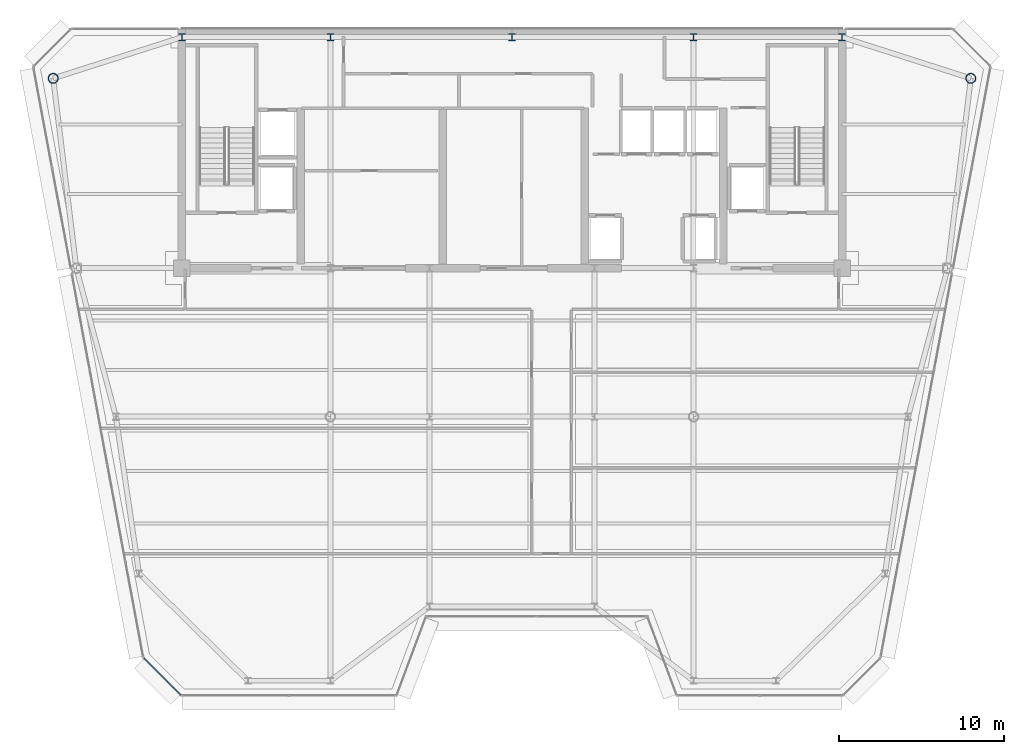
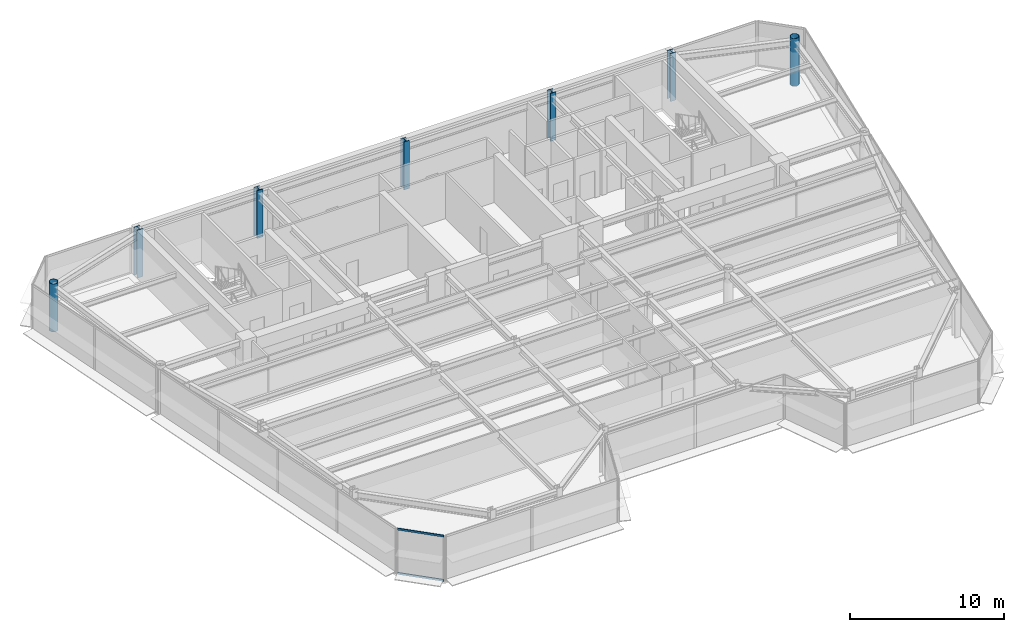
# One storey, part 2 of 18: 7 columns, 2 members, 1 element without a shape of its own.
"""IFC4 building model written with IfcOpenShell, lengths in metres."""

from ifc_helpers import new_model, si_unit, direction, frame, origin, origin_2d, place, context, subcontext, project, spatial, rectangle, hollow_circle, i_section, extrude, source, transform, mapped, material, layer, layer_set, material_profile, profile_set, type_object, element, aggregate, save


model = new_model("IFC4")

# Units and contexts
model_context = context("Model", 3, precision=1e-05, world=origin(), true_north=direction((0.0, 1.0)))
body_context = subcontext(model_context, "Body", "Model", "MODEL_VIEW")
ifc_project = project(units=[si_unit("LENGTHUNIT", "METRE"), si_unit("AREAUNIT", "SQUARE_METRE"), si_unit("VOLUMEUNIT", "CUBIC_METRE"), si_unit("PLANEANGLEUNIT", "RADIAN"), si_unit("MASSUNIT", "GRAM", prefix="KILO")], contexts=[model_context])

# Site, building, storey
site_placement = place(None, origin())
site = spatial("IfcSite", under=ifc_project, at=site_placement, CompositionType="ELEMENT")
building_placement = place(site_placement, origin())
building = spatial("IfcBuilding", under=site, at=building_placement, Name="Vaeldorn Concourse Tower", CompositionType="ELEMENT")
storey_placement = place(building_placement, frame((0.0, 0.0, 246.0)))
storey = spatial("IfcBuildingStorey", under=building, at=storey_placement, Name="L63", CompositionType="ELEMENT", Elevation=246.0)

# Columns
ifc_material_1 = material(Name="Steel S460", Category="steel")
ifc_material_profile_1 = material_profile(ifc_material_1, i_section(OverallWidth=0.41796875, OverallDepth=0.455078125, WebThickness=0.0419921875, FlangeThickness=0.05810546875, FilletRadius=0.014892578125, at=origin_2d()), Name="HD 400x551")
ifc_profile_set_1 = profile_set([ifc_material_profile_1], Name="Steel S460")
column_type_1 = type_object("IfcColumnType", Name="COL-HD551", PredefinedType="COLUMN", material=ifc_profile_set_1)
shared_shape_1 = source(origin(), body_context, "Body", "SweptSolid", [
    extrude(i_section(OverallWidth=0.41796875, OverallDepth=0.455078125, WebThickness=0.0419921875, FlangeThickness=0.05810546875, FilletRadius=0.014892578125, at=origin_2d()), origin(), (0.0, 0.0, 1.0), 3.800048828125),
])
for number, where, z_axis, x_axis, name in (
    (1, (14.0, 50.5, 0.0), (0.0, 0.0, 1.0), (1.0, 0.0, 0.0), "Column C-HC1 L63"),
    (2, (23.0, 50.5, 0.0), (0.0, 0.0, 1.0), (1.0, 0.0, 0.0), "Column C-HC2 L63"),
    (3, (34.0, 50.5, 0.0), (0.0, 0.0, 1.0), (1.0, 0.0, 0.0), "Column C-HC3 L63"),
    (4, (45.0, 50.5, 0.0), (0.0, 0.0, 1.0), (1.0, 0.0, 0.0), "Column C-HC4 L63"),
    (5, (54.0, 50.5, 0.0), (0.0, 0.0, 1.0), (1.0, 0.0, 0.0), "Column C-HC5 L63"),
):
    element("IfcColumn", number, at=place(storey_placement, frame(where, z_axis=z_axis, x_axis=x_axis)), inside=storey, type_object=column_type_1, Name=name, PredefinedType="COLUMN", context=body_context, shape_type="MappedRepresentation", body=[
        mapped(shared_shape_1, transform((0.0, 0.0, 0.0), scale=1.0)),
    ])
ifc_material_2 = material(Name="Steel S355", Category="steel")
ifc_material_profile_2 = material_profile(ifc_material_2, hollow_circle(Radius=0.304931640625, WallThickness=0.030029296875, at=origin_2d()), Name="CHS 610x30")
ifc_profile_set_2 = profile_set([ifc_material_profile_2], Name="Steel S355")
column_type_2 = type_object("IfcColumnType", Name="COL-CHS610", PredefinedType="COLUMN", material=ifc_profile_set_2)
shared_shape_2 = source(origin(), body_context, "Body", "SweptSolid", [
    extrude(hollow_circle(Radius=0.304931640625, WallThickness=0.030029296875, at=origin_2d()), origin(), (0.0, 0.0, 1.0), 3.800048828125),
])
for number, where, z_axis, x_axis, name in (
    (6, (6.199951171875, 48.0, 0.0), (0.0, 0.0, 1.0), (1.0, 0.0, 0.0), "Column C-NW1 L63"),
    (7, (61.800048828125, 48.0, 0.0), (0.0, 0.0, 1.0), (1.0, 0.0, 0.0), "Column C-NE1 L63"),
):
    element("IfcColumn", number, at=place(storey_placement, frame(where, z_axis=z_axis, x_axis=x_axis)), inside=storey, type_object=column_type_2, Name=name, PredefinedType="COLUMN", context=body_context, shape_type="MappedRepresentation", body=[
        mapped(shared_shape_2, transform((0.0, 0.0, 0.0), scale=1.0)),
    ])

# Curtain wall, members
ifc_material_3 = material(Name="Anodised Bronze Aluminium", Category="aluminium")
ifc_layer = layer(ifc_material_3, 0.179931640625)
ifc_layer_set = layer_set([ifc_layer], Name="Anodised Bronze Aluminium")
curtain_wall_type = type_object("IfcCurtainWallType", Name="CW-SYS-05", PredefinedType="NOTDEFINED", material=ifc_layer_set)
curtain_wall_placement = place(storey_placement, origin())
curtain_wall = element("IfcCurtainWall", 8, at=curtain_wall_placement, inside=storey, type_object=curtain_wall_type, Name="Unitised Curtain Wall CW-L63-E12-1", PredefinedType="NOTDEFINED")
ifc_material_profile_3 = material_profile(ifc_material_3, rectangle(XDim=0.06494140625, YDim=0.14990234375, at=origin_2d()), Name="CWT 65x150")
ifc_profile_set_3 = profile_set([ifc_material_profile_3], Name="Anodised Bronze Aluminium")
member_type = type_object("IfcMemberType", Name="CWT-BRONZE-150", PredefinedType="USERDEFINED", material=ifc_profile_set_3)
shared_shape_3 = source(origin(), body_context, "Body", "SweptSolid", [
    extrude(rectangle(XDim=0.06494140625, YDim=0.14990234375, at=origin_2d()), origin(), (0.0, 0.0, 1.0), 3.12255859375),
])
member_1_placement = place(storey_placement, frame((11.7119140625, 12.85400390625, 0.032470703125), z_axis=(0.707106781187, -0.707106781187, 0.0), x_axis=(0.707106781187, 0.707106781187, 0.0)))
member_1 = element("IfcMember", 9, at=member_1_placement, type_object=member_type, Name="CW-05 transom 1.1", ObjectType="TRANSOM", PredefinedType="USERDEFINED", context=body_context, shape_type="MappedRepresentation", body=[
    mapped(shared_shape_3, transform((0.0, 0.0, 0.0), scale=1.0)),
])
member_2_placement = place(storey_placement, frame((11.7119140625, 12.85400390625, 3.547607421875), z_axis=(0.707106781187, -0.707106781187, 0.0), x_axis=(0.707106781187, 0.707106781187, 0.0)))
member_2 = element("IfcMember", 10, at=member_2_placement, type_object=member_type, Name="CW-05 transom 1.2", ObjectType="TRANSOM", PredefinedType="USERDEFINED", context=body_context, shape_type="MappedRepresentation", body=[
    mapped(shared_shape_3, transform((0.0, 0.0, 0.0), scale=1.0)),
])
aggregate(curtain_wall, [member_1, member_2])

save(model, "model.ifc")
